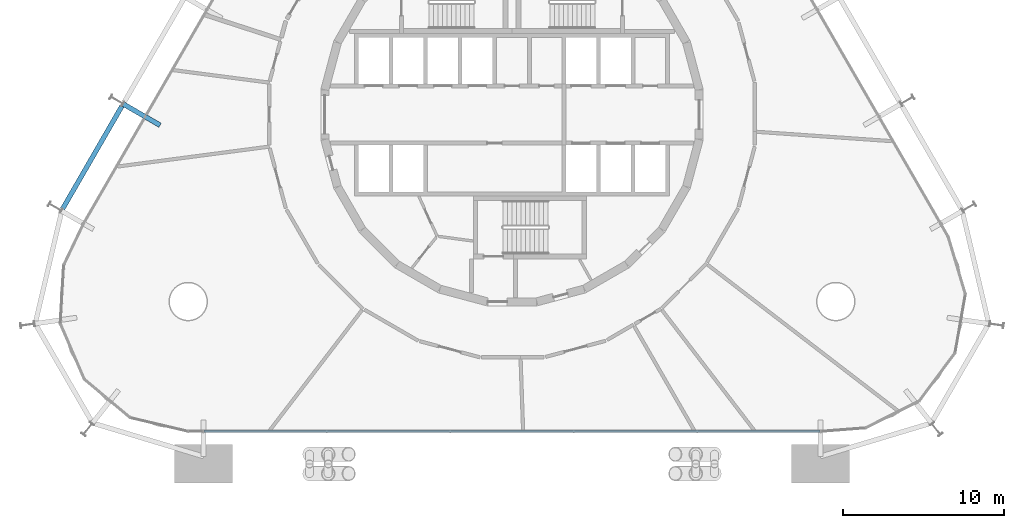
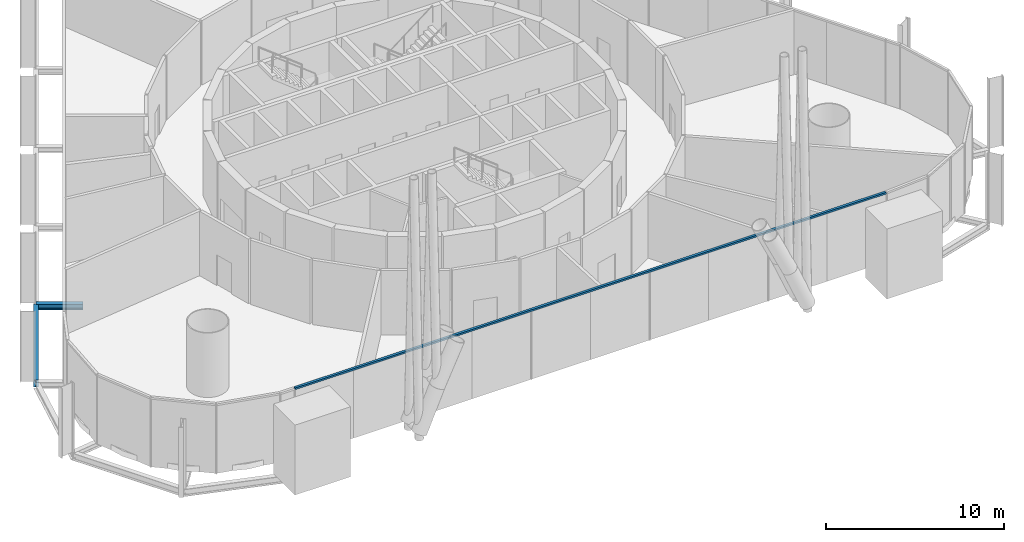
# One storey, part 4 of 17: 2 beams, 1 member, 1 element without a shape of its own.
"""IFC4 building model written with IfcOpenShell, lengths in metres."""

from ifc_helpers import new_model, si_unit, direction, frame, origin, origin_2d, place, context, subcontext, project, spatial, rectangle, i_section, extrude, material, layer, layer_set, material_profile, profile_set, type_object, element, aggregate, save


model = new_model("IFC4")

# Units and contexts
model_context = context("Model", 3, precision=1e-05, world=origin(), true_north=direction((0.0, 1.0)))
body_context = subcontext(model_context, "Body", "Model", "MODEL_VIEW")
ifc_project = project(units=[si_unit("LENGTHUNIT", "METRE"), si_unit("AREAUNIT", "SQUARE_METRE"), si_unit("VOLUMEUNIT", "CUBIC_METRE"), si_unit("PLANEANGLEUNIT", "RADIAN"), si_unit("MASSUNIT", "GRAM", prefix="KILO")], contexts=[model_context])

# Site, building, storey
site_placement = place(None, origin())
site = spatial("IfcSite", under=ifc_project, at=site_placement, CompositionType="ELEMENT")
building_placement = place(site_placement, origin())
building = spatial("IfcBuilding", under=site, at=building_placement, Name="Spindle Arch Residences", CompositionType="ELEMENT")
storey_placement = place(building_placement, frame((0.0, 0.0, 13.800048828125)))
storey = spatial("IfcBuildingStorey", under=building, at=storey_placement, Name="L02", CompositionType="ELEMENT", Elevation=13.800048828125)

# Curtain wall, member
ifc_material_1 = material(Name="Aluminium bronze unitised frame with tinted glass", Category="aluminium")
ifc_layer = layer(ifc_material_1, 0.159912109375)
ifc_layer_set = layer_set([ifc_layer], Name="CW-B amenity podium glazed wall")
curtain_wall_type = type_object("IfcCurtainWallType", Name="CW-B amenity podium glazed wall", PredefinedType="NOTDEFINED", material=ifc_layer_set)
curtain_wall_placement = place(storey_placement, origin())
curtain_wall = element("IfcCurtainWall", 1, at=curtain_wall_placement, inside=storey, type_object=curtain_wall_type, Name="CW-B L02 run 6", PredefinedType="NOTDEFINED")
ifc_material_2 = material(Name="Aluminium bronze anodised transom", Category="aluminium")
ifc_material_profile_1 = material_profile(ifc_material_2, rectangle(XDim=0.159912109375, YDim=0.1201171875, at=origin_2d()), Name="TR 120x160")
ifc_profile_set_1 = profile_set([ifc_material_profile_1], Name="Aluminium bronze anodised transom")
member_type = type_object("IfcMemberType", Name="Bronze transom 120x160", PredefinedType="USERDEFINED", material=ifc_profile_set_1)
member_placement = place(storey_placement, frame((-19.170166015625, -19.7099609375, 4.35986328125), z_axis=(1.0, 0.0, 0.0), x_axis=(0.0, 1.0, 0.0)))
member = element("IfcMember", 2, at=member_placement, type_object=member_type, Name="CW-B transom 00", ObjectType="TRANSOM", PredefinedType="USERDEFINED", context=body_context, shape_type="SweptSolid", body=[
    extrude(rectangle(XDim=0.159912109375, YDim=0.1201171875, at=origin_2d()), origin(), (0.0, 0.0, 1.0), 38.34033203125),
])
aggregate(curtain_wall, [member])

# Beams
ifc_material_3 = material(Name="Steel S460ML, intumescent coating R 120", Category="steel")
ifc_material_profile_2 = material_profile(ifc_material_3, i_section(OverallWidth=0.300048828125, OverallDepth=0.5, WebThickness=0.014404296875, FlangeThickness=0.028076171875, FilletRadius=0.027099609375, at=origin_2d()), Name="HEB 500")
ifc_profile_set_2 = profile_set([ifc_material_profile_2], Name="Steel S460ML, intumescent coating R 120")
beam_type_1 = type_object("IfcBeamType", Name="Exoskeleton edge beam HEB 500", PredefinedType="BEAM", material=ifc_profile_set_2)
beam_1_placement = place(storey_placement, frame((-24.25390625, 0.550537109375, -0.630126953125), z_axis=(-0.50002815445, -0.866009148195, 0.0), x_axis=(0.866009148195, -0.50002815445, 0.0)))
element("IfcBeam", 3, at=beam_1_placement, inside=storey, type_object=beam_type_1, Name="Exoskeleton edge beam 18", PredefinedType="BEAM", context=body_context, shape_type="SweptSolid", body=[
    extrude(i_section(OverallWidth=0.300048828125, OverallDepth=0.5, WebThickness=0.014404296875, FlangeThickness=0.028076171875, FilletRadius=0.027099609375, at=origin_2d()), origin(), (0.0, 0.0, 1.0), 7.419921875),
])
ifc_material_4 = material(Name="Steel S460ML, intumescent coating R 120", Category="steel")
ifc_material_profile_3 = material_profile(ifc_material_4, i_section(OverallWidth=0.300048828125, OverallDepth=0.389892578125, WebThickness=0.010986328125, FlangeThickness=0.01904296875, FilletRadius=0.027099609375, at=origin_2d()), Name="HEA 400")
ifc_profile_set_3 = profile_set([ifc_material_profile_3], Name="Steel S460ML, intumescent coating R 120")
beam_type_2 = type_object("IfcBeamType", Name="Floor outrigger HEA 400", PredefinedType="BEAM", material=ifc_profile_set_3)
beam_2_placement = place(storey_placement, frame((-24.18896484375, 0.6630859375, -0.574951171875), z_axis=(0.866029095148, -0.499993606316, 0.0), x_axis=(0.499993606316, 0.866029095148, 0.0)))
element("IfcBeam", 4, at=beam_2_placement, inside=storey, type_object=beam_type_2, Name="Floor outrigger 18", PredefinedType="BEAM", context=body_context, shape_type="SweptSolid", body=[
    extrude(i_section(OverallWidth=0.300048828125, OverallDepth=0.389892578125, WebThickness=0.010986328125, FlangeThickness=0.01904296875, FilletRadius=0.027099609375, at=origin_2d()), origin(), (0.0, 0.0, 1.0), 2.64990234375),
])

save(model, "model.ifc")
